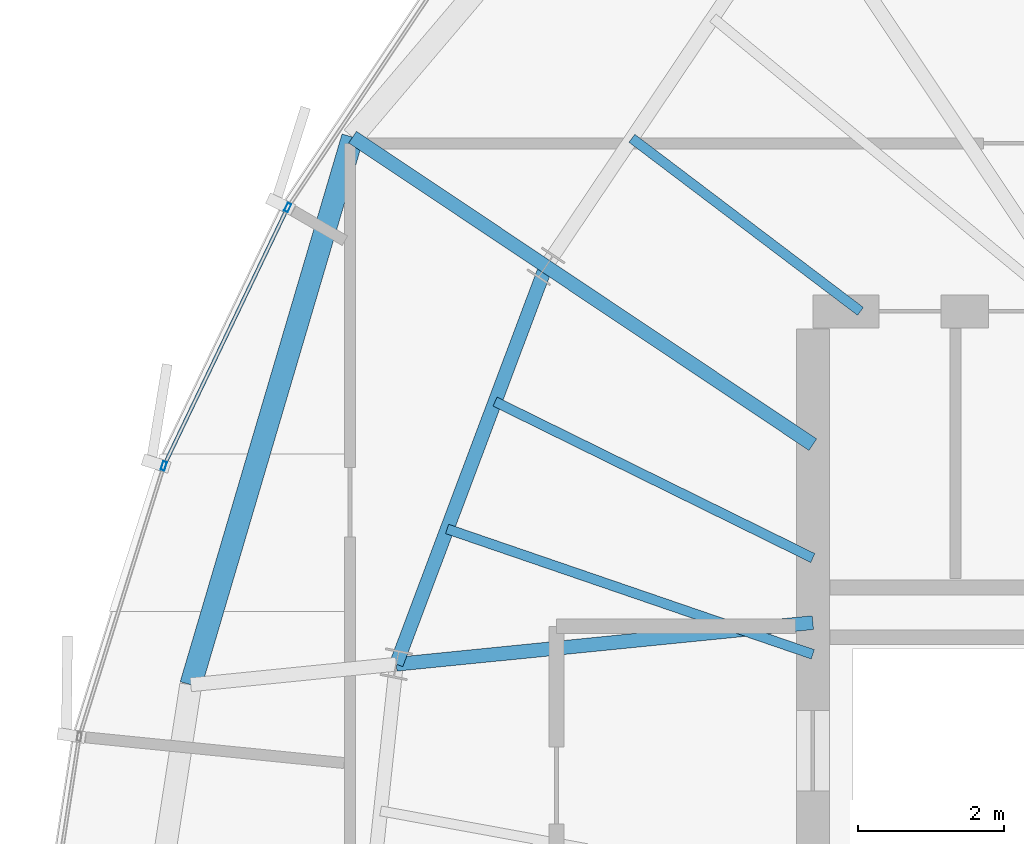
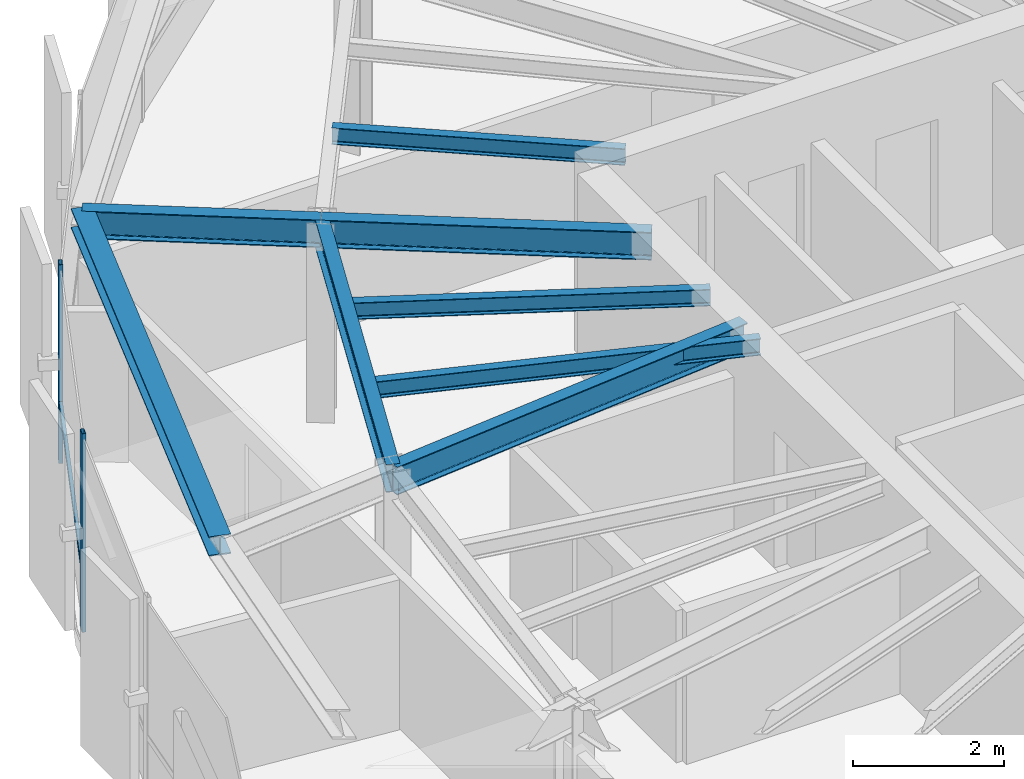
# One storey, part 12 of 31: 8 beams, 3 members, 1 element without a shape of its own.
"""IFC4 building model written with IfcOpenShell, lengths in metres."""

from ifc_helpers import new_model, si_unit, direction, frame, origin, origin_2d, place, context, subcontext, project, spatial, hollow_rectangle, i_section, extrude, source, transform, mapped, material, layer, layer_set, material_profile, profile_set, type_object, element, aggregate, save


model = new_model("IFC4")

# Units and contexts
model_context = context("Model", 3, precision=1e-05, world=origin(), true_north=direction((0.0, 1.0)))
body_context = subcontext(model_context, "Body", "Model", "MODEL_VIEW")
ifc_project = project(units=[si_unit("LENGTHUNIT", "METRE"), si_unit("AREAUNIT", "SQUARE_METRE"), si_unit("VOLUMEUNIT", "CUBIC_METRE"), si_unit("PLANEANGLEUNIT", "RADIAN"), si_unit("MASSUNIT", "GRAM", prefix="KILO"), si_unit("THERMODYNAMICTEMPERATUREUNIT", "KELVIN")], contexts=[model_context])

# Site, building, storey
site_placement = place(None, origin())
site = spatial("IfcSite", under=ifc_project, at=site_placement, CompositionType="ELEMENT")
building_placement = place(site_placement, origin())
building = spatial("IfcBuilding", under=site, at=building_placement, Name="Kethvar Cultural Tower", CompositionType="ELEMENT")
storey_placement = place(building_placement, frame((0.0, 0.0, 276.699951171875)))
storey = spatial("IfcBuildingStorey", under=building, at=storey_placement, Name="L73", CompositionType="ELEMENT", Elevation=276.699951171875)

# Beams
ifc_material_1 = material(Name="Steel S355J2", Category="steel")
ifc_material_profile_1 = material_profile(ifc_material_1, i_section(OverallWidth=0.18994140625, OverallDepth=0.449951171875, WebThickness=0.009521484375, FlangeThickness=0.0146484375, FilletRadius=0.02099609375, at=origin_2d()), Name="Steel S355J2 — IPE450")
ifc_profile_set_1 = profile_set([ifc_material_profile_1], Name="Steel S355J2 — IPE450")
beam_type_1 = type_object("IfcBeamType", Name="BM-IPE450", PredefinedType="BEAM", material=ifc_profile_set_1)
shared_shape_1 = source(origin(), body_context, "Body", "SweptSolid", [
    extrude(i_section(OverallWidth=0.18994140625, OverallDepth=0.449951171875, WebThickness=0.009521484375, FlangeThickness=0.0146484375, FilletRadius=0.02099609375, at=origin_2d()), origin(), (0.0, 0.0, 1.0), 4.3828125),
])
beam_1_placement = place(storey_placement, frame((38.0, 33.679931640625, 2.983154296875), z_axis=(-0.831449909861, 0.555599718676, 0.0), x_axis=(-0.555599718676, -0.831449909861, 0.0)))
element("IfcBeam", 1, at=beam_1_placement, inside=storey, type_object=beam_type_1, Name="L73 Primary Radial Beam RB-07", PredefinedType="BEAM", context=body_context, shape_type="MappedRepresentation", body=[
    mapped(shared_shape_1, transform((0.0, 0.0, 0.0), scale=1.0)),
])
shared_shape_2 = source(origin(), body_context, "Body", "SweptSolid", [
    extrude(i_section(OverallWidth=0.18994140625, OverallDepth=0.449951171875, WebThickness=0.009521484375, FlangeThickness=0.0146484375, FilletRadius=0.02099609375, at=origin_2d()), origin(), (0.0, 0.0, 1.0), 5.7158203125),
])
beam_2_placement = place(storey_placement, frame((38.0, 31.25, 2.983154296875), z_axis=(-0.995048179628, -0.099393763478, 0.0), x_axis=(0.099393763478, -0.995048179628, 0.0)))
element("IfcBeam", 2, at=beam_2_placement, inside=storey, type_object=beam_type_1, Name="L73 Primary Radial Beam RB-08", PredefinedType="BEAM", context=body_context, shape_type="MappedRepresentation", body=[
    mapped(shared_shape_2, transform((0.0, 0.0, 0.0), scale=1.0)),
])
ifc_material_profile_2 = material_profile(ifc_material_1, i_section(OverallWidth=0.135009765625, OverallDepth=0.27001953125, WebThickness=0.006591796875, FlangeThickness=0.01025390625, FilletRadius=0.014892578125, at=origin_2d()), Name="Steel S355J2 — IPE270")
ifc_profile_set_2 = profile_set([ifc_material_profile_2], Name="Steel S355J2 — IPE270")
beam_type_2 = type_object("IfcBeamType", Name="BM-J270", PredefinedType="JOIST", material=ifc_profile_set_2)
shared_shape_3 = source(origin(), body_context, "Body", "SweptSolid", [
    extrude(i_section(OverallWidth=0.135009765625, OverallDepth=0.27001953125, WebThickness=0.006591796875, FlangeThickness=0.01025390625, FilletRadius=0.014892578125, at=origin_2d()), origin(), (0.0, 0.0, 1.0), 3.91357421875),
])
beam_3_placement = place(storey_placement, frame((38.64990234375, 35.5, 3.072998046875), z_axis=(-0.797214062325, 0.603696727531, 0.0), x_axis=(-0.603696727531, -0.797214062325, 0.0)))
element("IfcBeam", 3, at=beam_3_placement, inside=storey, type_object=beam_type_2, Name="L73 Composite Floor Joist J-06B", PredefinedType="JOIST", context=body_context, shape_type="MappedRepresentation", body=[
    mapped(shared_shape_3, transform((0.0, 0.0, 0.0), scale=1.0)),
])
shared_shape_4 = source(origin(), body_context, "Body", "SweptSolid", [
    extrude(i_section(OverallWidth=0.18994140625, OverallDepth=0.449951171875, WebThickness=0.009521484375, FlangeThickness=0.0146484375, FilletRadius=0.02099609375, at=origin_2d()), origin(), (0.0, 0.0, 1.0), 5.8046875),
])
beam_4_placement = place(storey_placement, frame((34.35595703125, 36.114990234375, 2.983154296875), z_axis=(-0.352035902861, -0.935986497283, 0.0), x_axis=(0.935986497283, -0.352035902861, 0.0)))
element("IfcBeam", 4, at=beam_4_placement, inside=storey, type_object=beam_type_1, Name="L73 Column Ring Tie Beam CR-07", PredefinedType="BEAM", context=body_context, shape_type="MappedRepresentation", body=[
    mapped(shared_shape_4, transform((0.0, 0.0, 0.0), scale=1.0)),
])
shared_shape_5 = source(origin(), body_context, "Body", "SweptSolid", [
    extrude(i_section(OverallWidth=0.135009765625, OverallDepth=0.27001953125, WebThickness=0.006591796875, FlangeThickness=0.01025390625, FilletRadius=0.014892578125, at=origin_2d()), origin(), (0.0, 0.0, 1.0), 4.8359375),
])
beam_5_placement = place(storey_placement, frame((38.0, 32.1318359375, 3.072998046875), z_axis=(-0.897196527088, 0.441631511308, 0.0), x_axis=(-0.441631511308, -0.897196527088, 0.0)))
element("IfcBeam", 5, at=beam_5_placement, inside=storey, type_object=beam_type_2, Name="L73 Composite Floor Joist J-07A", PredefinedType="JOIST", context=body_context, shape_type="MappedRepresentation", body=[
    mapped(shared_shape_5, transform((0.0, 0.0, 0.0), scale=1.0)),
])
shared_shape_6 = source(origin(), body_context, "Body", "SweptSolid", [
    extrude(i_section(OverallWidth=0.135009765625, OverallDepth=0.27001953125, WebThickness=0.006591796875, FlangeThickness=0.01025390625, FilletRadius=0.014892578125, at=origin_2d()), origin(), (0.0, 0.0, 1.0), 5.2783203125),
])
beam_6_placement = place(storey_placement, frame((38.0, 30.817138671875, 3.072998046875), z_axis=(-0.945942702368, 0.324333784607, 0.0), x_axis=(-0.324333784607, -0.945942702368, 0.0)))
element("IfcBeam", 6, at=beam_6_placement, inside=storey, type_object=beam_type_2, Name="L73 Composite Floor Joist J-07B", PredefinedType="JOIST", context=body_context, shape_type="MappedRepresentation", body=[
    mapped(shared_shape_6, transform((0.0, 0.0, 0.0), scale=1.0)),
])
shared_shape_7 = source(origin(), body_context, "Body", "SweptSolid", [
    extrude(i_section(OverallWidth=0.18994140625, OverallDepth=0.449951171875, WebThickness=0.009521484375, FlangeThickness=0.0146484375, FilletRadius=0.02099609375, at=origin_2d()), origin(), (0.0, 0.0, 1.0), 3.175537109375),
])
beam_7_placement = place(storey_placement, frame((34.35595703125, 36.114990234375, 2.983154296875), z_axis=(-0.831482112272, 0.555551525037, 0.0), x_axis=(-0.555551525037, -0.831482112272, 0.0)))
element("IfcBeam", 7, at=beam_7_placement, inside=storey, type_object=beam_type_1, Name="L73 Perimeter Cantilever Beam RC-07", PredefinedType="BEAM", context=body_context, shape_type="MappedRepresentation", body=[
    mapped(shared_shape_7, transform((0.0, 0.0, 0.0), scale=1.0)),
])
ifc_material_profile_3 = material_profile(ifc_material_1, i_section(OverallWidth=0.300048828125, OverallDepth=0.320068359375, WebThickness=0.011474609375, FlangeThickness=0.0205078125, FilletRadius=0.027099609375, at=origin_2d()), Name="Steel S355J2 — HEB320")
ifc_profile_set_3 = profile_set([ifc_material_profile_3], Name="Steel S355J2 — HEB320")
beam_type_3 = type_object("IfcBeamType", Name="BM-SP320", PredefinedType="SPANDREL", material=ifc_profile_set_3)
shared_shape_8 = source(origin(), body_context, "Body", "SweptSolid", [
    extrude(i_section(OverallWidth=0.300048828125, OverallDepth=0.320068359375, WebThickness=0.011474609375, FlangeThickness=0.0205078125, FilletRadius=0.027099609375, at=origin_2d()), origin(), (0.0, 0.0, 1.0), 7.797119140625),
])
beam_8_placement = place(storey_placement, frame((31.715576171875, 37.879150390625, 3.048095703125), z_axis=(-0.283312106567, -0.959027763035, 0.0), x_axis=(0.959027763035, -0.283312106567, 0.0)))
element("IfcBeam", 8, at=beam_8_placement, inside=storey, type_object=beam_type_3, Name="L73 Perimeter Spandrel Beam SP-07", PredefinedType="SPANDREL", context=body_context, shape_type="MappedRepresentation", body=[
    mapped(shared_shape_8, transform((0.0, 0.0, 0.0), scale=1.0)),
])

# Curtain wall, members
ifc_material_2 = material(Name="Aluminium 6063-T6", Category="aluminium")
ifc_layer = layer(ifc_material_2, 0.179931640625, Name="Aluminium 6063-T6", Category="aluminium")
ifc_layer_set = layer_set([ifc_layer], Name="Aluminium 6063-T6 (180 mm)")
curtain_wall_type = type_object("IfcCurtainWallType", Name="CW-SYS-05-Z56", PredefinedType="NOTDEFINED", material=ifc_layer_set)
curtain_wall_placement = place(storey_placement, origin())
curtain_wall = element("IfcCurtainWall", 9, at=curtain_wall_placement, inside=storey, type_object=curtain_wall_type, Name="L73 Curtain Wall Run 02", PredefinedType="NOTDEFINED")
ifc_material_profile_4 = material_profile(ifc_material_2, hollow_rectangle(XDim=0.054931640625, YDim=0.1201171875, WallThickness=0.00390625, at=origin_2d()), Name="Aluminium 6063-T6 — RHS120x55x4")
ifc_profile_set_4 = profile_set([ifc_material_profile_4], Name="Aluminium 6063-T6 — RHS120x55x4")
member_type_1 = type_object("IfcMemberType", Name="CW-SYS-05-Z56-MUL", PredefinedType="MULLION", material=ifc_profile_set_4)
shared_shape_9 = source(origin(), body_context, "Body", "SweptSolid", [
    extrude(hollow_rectangle(XDim=0.054931640625, YDim=0.1201171875, WallThickness=0.00390625, at=origin_2d()), origin(), (0.0, 0.0, 1.0), 3.2099609375),
])
member_1_placement = place(storey_placement, frame((30.82958984375, 36.91748046875, 0.0), z_axis=(0.0, 0.0, 1.0), x_axis=(0.901840067587, -0.432070008789, 0.0)))
member_1 = element("IfcMember", 10, at=member_1_placement, type_object=member_type_1, Name="CW-L73-R02 Mullion 4", PredefinedType="MULLION", context=body_context, shape_type="MappedRepresentation", body=[
    mapped(shared_shape_9, transform((0.0, 0.0, 0.0), scale=1.0)),
])
member_2_placement = place(storey_placement, frame((29.138427734375, 33.389892578125, 0.0), z_axis=(0.0, 0.0, 1.0), x_axis=(0.954708883255, -0.297541506743, 0.0)))
member_2 = element("IfcMember", 11, at=member_2_placement, type_object=member_type_1, Name="CW-L73-R02 Mullion 5", PredefinedType="MULLION", context=body_context, shape_type="MappedRepresentation", body=[
    mapped(shared_shape_9, transform((0.0, 0.0, 0.0), scale=1.0)),
])
ifc_material_profile_5 = material_profile(ifc_material_2, hollow_rectangle(XDim=0.050048828125, YDim=0.10009765625, WallThickness=0.00390625, at=origin_2d()), Name="Aluminium 6063-T6 — RHS100x50x4")
ifc_profile_set_5 = profile_set([ifc_material_profile_5], Name="Aluminium 6063-T6 — RHS100x50x4")
member_type_2 = type_object("IfcMemberType", Name="CW-SYS-05-Z56-TRN", PredefinedType="USERDEFINED", material=ifc_profile_set_5)
shared_shape_10 = source(origin(), body_context, "Body", "SweptSolid", [
    extrude(hollow_rectangle(XDim=0.050048828125, YDim=0.10009765625, WallThickness=0.00390625, at=origin_2d()), origin(), (0.0, 0.0, 1.0), 3.84716796875),
])
member_3_placement = place(storey_placement, frame((30.8125, 36.8818359375, 0.949951171875), z_axis=(-0.432021261485, -0.901863420715, 0.0), x_axis=(0.901863420715, -0.432021261485, 0.0)))
member_3 = element("IfcMember", 12, at=member_3_placement, type_object=member_type_2, Name="CW-L73-R02 Transom 4", ObjectType="TRANSOM", PredefinedType="USERDEFINED", context=body_context, shape_type="MappedRepresentation", body=[
    mapped(shared_shape_10, transform((0.0, 0.0, 0.0), scale=1.0)),
])
aggregate(curtain_wall, [member_1, member_2, member_3])

save(model, "model.ifc")
